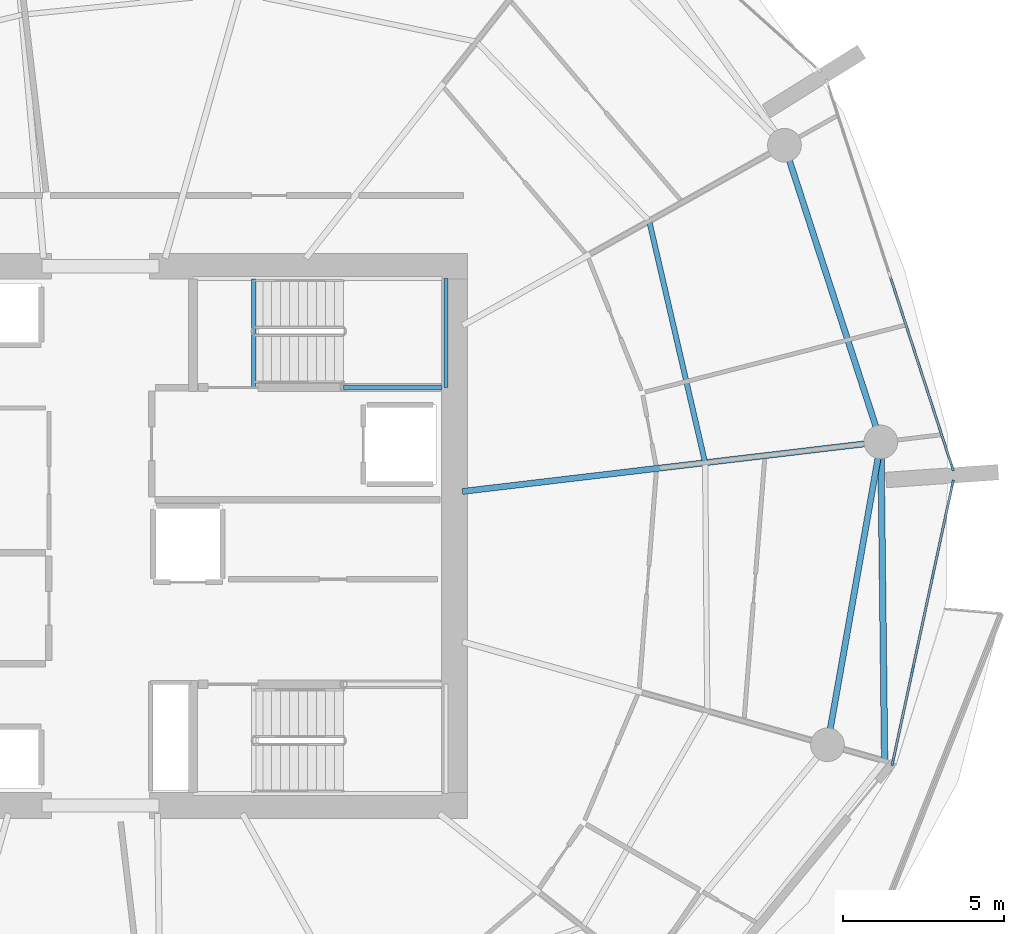
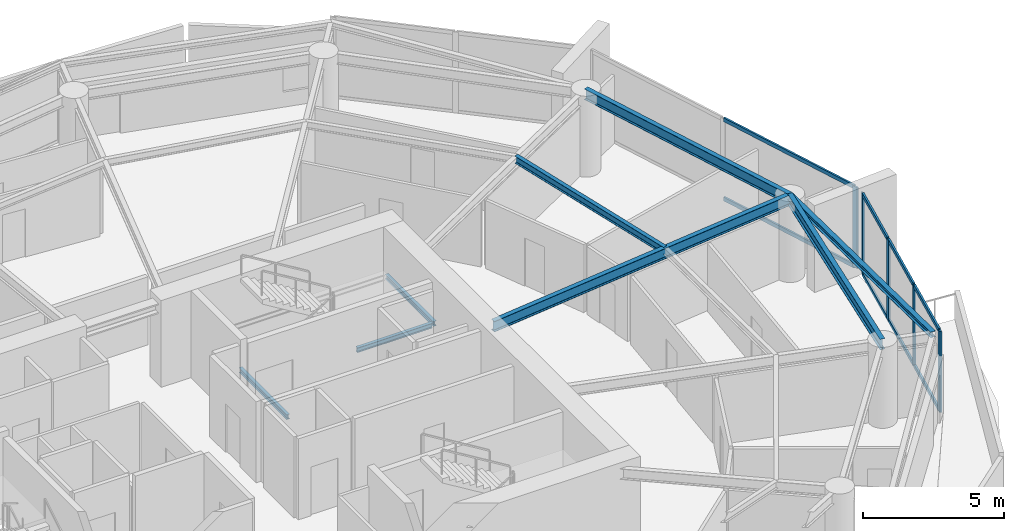
# One storey, part 7 of 20: 13 members, 8 beams, 2 elements without a shape of their own.
"""IFC4 building model written with IfcOpenShell, lengths in metres."""

from ifc_helpers import new_model, si_unit, direction, frame, origin, origin_2d, place, context, subcontext, project, spatial, rectangle, i_section, extrude, material, layer, layer_set, material_profile, profile_set, type_object, element, aggregate, save


model = new_model("IFC4")

# Units and contexts
model_context = context("Model", 3, precision=1e-05, world=origin(), true_north=direction((0.0, 1.0)))
body_context = subcontext(model_context, "Body", "Model", "MODEL_VIEW")
ifc_project = project(units=[si_unit("LENGTHUNIT", "METRE"), si_unit("AREAUNIT", "SQUARE_METRE"), si_unit("VOLUMEUNIT", "CUBIC_METRE"), si_unit("PLANEANGLEUNIT", "RADIAN"), si_unit("MASSUNIT", "GRAM", prefix="KILO")], contexts=[model_context])

# Site, building, storey
site_placement = place(None, origin())
site = spatial("IfcSite", under=ifc_project, at=site_placement, CompositionType="ELEMENT")
building_placement = place(site_placement, origin())
building = spatial("IfcBuilding", under=site, at=building_placement, Name="Kazma Halo Residences", CompositionType="ELEMENT")
storey_placement = place(building_placement, frame((0.0, 0.0, 161.550048828125)))
storey = spatial("IfcBuildingStorey", under=building, at=storey_placement, Name="L40", CompositionType="ELEMENT", Elevation=161.550048828125)

# Beams
ifc_material_1 = material(Name="Steel S355", Category="steel")
ifc_material_profile_1 = material_profile(ifc_material_1, i_section(OverallWidth=0.201904296875, OverallDepth=0.2470703125, WebThickness=0.00732421875, FlangeThickness=0.010986328125, FilletRadius=0.011962890625, at=origin_2d()), Name="W250x49.1")
ifc_profile_set_1 = profile_set([ifc_material_profile_1], Name="Steel S355")
beam_type_1 = type_object("IfcBeamType", Name="BM-BAL-CANT", PredefinedType="BEAM", material=ifc_profile_set_1)
beam_1_placement = place(storey_placement, frame((72.850341796875, 34.991455078125, 3.37646484375), z_axis=(-0.011793371143, 0.99993045578, 0.0), x_axis=(-0.99993045578, -0.011793371143, 0.0)))
element("IfcBeam", 1, at=beam_1_placement, inside=storey, type_object=beam_type_1, Name="L40 wave-balcony tie beam 15", PredefinedType="BEAM", context=body_context, shape_type="SweptSolid", body=[
    extrude(i_section(OverallWidth=0.201904296875, OverallDepth=0.2470703125, WebThickness=0.00732421875, FlangeThickness=0.010986328125, FilletRadius=0.011962890625, at=origin_2d()), origin(), (0.0, 0.0, 1.0), 9.936767578125),
])
ifc_material_profile_2 = material_profile(ifc_material_1, i_section(OverallWidth=0.18994140625, OverallDepth=0.45703125, WebThickness=0.009033203125, FlangeThickness=0.014404296875, FilletRadius=0.01611328125, at=origin_2d()), Name="W460x74")
ifc_profile_set_2 = profile_set([ifc_material_profile_2], Name="Steel S355")
beam_type_2 = type_object("IfcBeamType", Name="BM-RAD-W460", PredefinedType="BEAM", material=ifc_profile_set_2)
beam_2_placement = place(storey_placement, frame((59.699951171875, 43.384765625, 3.271484375), z_axis=(0.993067181848, 0.117548170278, 0.0), x_axis=(-0.117548170278, 0.993067181848, 0.0)))
element("IfcBeam", 2, at=beam_2_placement, inside=storey, type_object=beam_type_2, Name="L40 radial floor beam 16", PredefinedType="BEAM", context=body_context, shape_type="SweptSolid", body=[
    extrude(i_section(OverallWidth=0.18994140625, OverallDepth=0.45703125, WebThickness=0.009033203125, FlangeThickness=0.014404296875, FilletRadius=0.01611328125, at=origin_2d()), origin(), (0.0, 0.0, 1.0), 13.124267578125),
])
ifc_material_profile_3 = material_profile(ifc_material_1, i_section(OverallWidth=0.1650390625, OverallDepth=0.31005859375, WebThickness=0.005859375, FlangeThickness=0.009765625, FilletRadius=0.011962890625, at=origin_2d()), Name="W310x38.7")
ifc_profile_set_3 = profile_set([ifc_material_profile_3], Name="Steel S355")
beam_type_3 = type_object("IfcBeamType", Name="BM-SEC-W310B", PredefinedType="JOIST", material=ifc_profile_set_3)
beam_3_placement = place(storey_placement, frame((67.25927734375, 44.279541015625, 3.344970703125), z_axis=(-0.225330067077, 0.97428248515, 0.0), x_axis=(-0.97428248515, -0.225330067077, 0.0)))
element("IfcBeam", 3, at=beam_3_placement, inside=storey, type_object=beam_type_3, Name="L40 circumferential floor joist 16", PredefinedType="JOIST", context=body_context, shape_type="SweptSolid", body=[
    extrude(i_section(OverallWidth=0.1650390625, OverallDepth=0.31005859375, WebThickness=0.005859375, FlangeThickness=0.009765625, FilletRadius=0.011962890625, at=origin_2d()), origin(), (0.0, 0.0, 1.0), 7.7294921875),
])
ifc_material_profile_4 = material_profile(ifc_material_1, i_section(OverallWidth=0.18994140625, OverallDepth=0.45703125, WebThickness=0.009033203125, FlangeThickness=0.014404296875, FilletRadius=0.01611328125, at=origin_2d()), Name="W460x74")
ifc_profile_set_4 = profile_set([ifc_material_profile_4], Name="Steel S355")
beam_type_4 = type_object("IfcBeamType", Name="BM-SPN-W460", PredefinedType="BEAM", material=ifc_profile_set_4)
beam_4_placement = place(storey_placement, frame((71.06982421875, 35.49365234375, 3.271484375), z_axis=(0.173637033425, 0.984809717978, 0.0), x_axis=(-0.984809717978, 0.173637033425, 0.0)))
element("IfcBeam", 4, at=beam_4_placement, inside=storey, type_object=beam_type_4, Name="L40 perimeter ring beam 15", PredefinedType="BEAM", context=body_context, shape_type="SweptSolid", body=[
    extrude(i_section(OverallWidth=0.18994140625, OverallDepth=0.45703125, WebThickness=0.009033203125, FlangeThickness=0.014404296875, FilletRadius=0.01611328125, at=origin_2d()), origin(), (0.0, 0.0, 1.0), 9.579345703125),
])
beam_5_placement = place(storey_placement, frame((72.733154296875, 44.927490234375, 3.271484375), z_axis=(-0.309020741629, 0.95105529873, 0.0), x_axis=(-0.95105529873, -0.309020741629, 0.0)))
element("IfcBeam", 5, at=beam_5_placement, inside=storey, type_object=beam_type_4, Name="L40 perimeter ring beam 16", PredefinedType="BEAM", context=body_context, shape_type="SweptSolid", body=[
    extrude(i_section(OverallWidth=0.18994140625, OverallDepth=0.45703125, WebThickness=0.009033203125, FlangeThickness=0.014404296875, FilletRadius=0.01611328125, at=origin_2d()), origin(), (0.0, 0.0, 1.0), 9.717529296875),
])
ifc_material_profile_5 = material_profile(ifc_material_1, i_section(OverallWidth=0.133056640625, OverallDepth=0.20703125, WebThickness=0.005859375, FlangeThickness=0.00830078125, FilletRadius=0.010009765625, at=origin_2d()), Name="W200x26.6")
ifc_profile_set_5 = profile_set([ifc_material_profile_5], Name="Steel S355")
beam_type_5 = type_object("IfcBeamType", Name="BM-TRIM-W200", PredefinedType="BEAM", material=ifc_profile_set_5)
beam_6_placement = place(storey_placement, frame((53.199951171875, 46.6201171875, -0.360107421875), z_axis=(0.0, 1.0, 0.0), x_axis=(-1.0, 0.0, 0.0)))
element("IfcBeam", 6, at=beam_6_placement, inside=storey, type_object=beam_type_5, Name="L40 ST-02 floor landing support beam", PredefinedType="BEAM", context=body_context, shape_type="SweptSolid", body=[
    extrude(i_section(OverallWidth=0.133056640625, OverallDepth=0.20703125, WebThickness=0.005859375, FlangeThickness=0.00830078125, FilletRadius=0.010009765625, at=origin_2d()), origin(), (0.0, 0.0, 1.0), 3.3798828125),
])
beam_7_placement = place(storey_placement, frame((56.0, 46.6201171875, 1.570068359375), z_axis=(1.0, 0.0, 0.0), x_axis=(0.0, 1.0, 0.0)))
element("IfcBeam", 7, at=beam_7_placement, inside=storey, type_object=beam_type_5, Name="L40 ST-02 landing south wall ledger", PredefinedType="BEAM", context=body_context, shape_type="SweptSolid", body=[
    extrude(i_section(OverallWidth=0.133056640625, OverallDepth=0.20703125, WebThickness=0.005859375, FlangeThickness=0.00830078125, FilletRadius=0.010009765625, at=origin_2d()), origin(), (0.0, 0.0, 1.0), 3.070068359375),
])
beam_8_placement = place(storey_placement, frame((59.18994140625, 46.6201171875, 1.570068359375), z_axis=(0.0, 1.0, 0.0), x_axis=(-1.0, 0.0, 0.0)))
element("IfcBeam", 8, at=beam_8_placement, inside=storey, type_object=beam_type_5, Name="L40 ST-02 landing end wall ledger", PredefinedType="BEAM", context=body_context, shape_type="SweptSolid", body=[
    extrude(i_section(OverallWidth=0.133056640625, OverallDepth=0.20703125, WebThickness=0.005859375, FlangeThickness=0.00830078125, FilletRadius=0.010009765625, at=origin_2d()), origin(), (0.0, 0.0, 1.0), 3.39990234375),
])

# Curtain wall, members
ifc_material_2 = material(Name="Aluminium AW-6063 T6 and Triple-Silver Low-E Glass", Category="aluminium")
ifc_layer = layer(ifc_material_2, 0.219970703125)
ifc_layer_set = layer_set([ifc_layer], Name="Aluminium AW-6063 T6 and Triple-Silver Low-E Glass")
curtain_wall_type = type_object("IfcCurtainWallType", Name="CW-SYS-4", PredefinedType="NOTDEFINED", material=ifc_layer_set)
curtain_wall_1_placement = place(storey_placement, origin())
curtain_wall_1 = element("IfcCurtainWall", 9, at=curtain_wall_1_placement, inside=storey, type_object=curtain_wall_type, Name="L40 unitised curtain wall B15", PredefinedType="NOTDEFINED")
ifc_material_3 = material(Name="Aluminium AW-6063 T6", Category="aluminium")
ifc_material_profile_6 = material_profile(ifc_material_3, rectangle(XDim=0.074951171875, YDim=0.219970703125, at=origin_2d()), Name="CWM-75x220")
ifc_profile_set_6 = profile_set([ifc_material_profile_6], Name="Aluminium AW-6063 T6")
member_type_1 = type_object("IfcMemberType", Name="CW-SYS-4-MUL", PredefinedType="MULLION", material=ifc_profile_set_6)
member_1_placement = place(storey_placement, frame((73.105224609375, 34.95849609375, 0.0), z_axis=(0.0, 0.0, 1.0), x_axis=(-0.977764957684, 0.209703809037, 0.0)))
member_1 = element("IfcMember", 10, at=member_1_placement, type_object=member_type_1, Name="CWS-4 mullion 1", PredefinedType="MULLION", context=body_context, shape_type="SweptSolid", body=[
    extrude(rectangle(XDim=0.074951171875, YDim=0.219970703125, at=origin_2d()), origin(), (0.0, 0.0, 1.0), 3.5),
])
member_2_placement = place(storey_placement, frame((73.72314453125, 37.839111328125, 0.0), z_axis=(0.0, 0.0, 1.0), x_axis=(-0.977764957684, 0.209703809037, 0.0)))
member_2 = element("IfcMember", 11, at=member_2_placement, type_object=member_type_1, Name="CWS-4 mullion 2", PredefinedType="MULLION", context=body_context, shape_type="SweptSolid", body=[
    extrude(rectangle(XDim=0.074951171875, YDim=0.219970703125, at=origin_2d()), origin(), (0.0, 0.0, 1.0), 3.5),
])
member_3_placement = place(storey_placement, frame((74.3486328125, 40.75634765625, 0.0), z_axis=(0.0, 0.0, 1.0), x_axis=(-0.977764957684, 0.209703809037, 0.0)))
member_3 = element("IfcMember", 12, at=member_3_placement, type_object=member_type_1, Name="CWS-4 mullion 3", PredefinedType="MULLION", context=body_context, shape_type="SweptSolid", body=[
    extrude(rectangle(XDim=0.074951171875, YDim=0.219970703125, at=origin_2d()), origin(), (0.0, 0.0, 1.0), 3.5),
])
member_4_placement = place(storey_placement, frame((74.966552734375, 43.63671875, 0.0), z_axis=(0.0, 0.0, 1.0), x_axis=(-0.977764957684, 0.209703809037, 0.0)))
member_4 = element("IfcMember", 13, at=member_4_placement, type_object=member_type_1, Name="CWS-4 mullion 4", PredefinedType="MULLION", context=body_context, shape_type="SweptSolid", body=[
    extrude(rectangle(XDim=0.074951171875, YDim=0.219970703125, at=origin_2d()), origin(), (0.0, 0.0, 1.0), 3.5),
])

# Curtain wall, member
curtain_wall_2_placement = place(storey_placement, origin())
curtain_wall_2 = element("IfcCurtainWall", 14, at=curtain_wall_2_placement, inside=storey, type_object=curtain_wall_type, Name="L40 unitised curtain wall B16", PredefinedType="NOTDEFINED")
member_5_placement = place(storey_placement, frame((74.955810546875, 44.13427734375, 0.0), z_axis=(0.0, 0.0, 1.0), x_axis=(-0.951057547609, -0.3090138203, 0.0)))
member_5 = element("IfcMember", 15, at=member_5_placement, type_object=member_type_1, Name="CWS-4 mullion 1", PredefinedType="MULLION", context=body_context, shape_type="SweptSolid", body=[
    extrude(rectangle(XDim=0.074951171875, YDim=0.219970703125, at=origin_2d()), origin(), (0.0, 0.0, 1.0), 3.5),
])

# Member
ifc_material_profile_7 = material_profile(ifc_material_3, rectangle(XDim=0.074951171875, YDim=0.1650390625, at=origin_2d()), Name="CWT-75x165")
ifc_profile_set_7 = profile_set([ifc_material_profile_7], Name="Aluminium AW-6063 T6")
member_type_2 = type_object("IfcMemberType", Name="CW-SYS-4-TRN", PredefinedType="USERDEFINED", material=ifc_profile_set_7)
member_6_placement = place(storey_placement, frame((73.113037109375, 34.9951171875, 0.037353515625), z_axis=(0.209703309269, 0.977765064871, 0.0), x_axis=(-0.977765064871, 0.209703309269, 0.0)))
member_6 = element("IfcMember", 16, at=member_6_placement, type_object=member_type_2, Name="CWS-4 transom 1.1", ObjectType="TRANSOM", PredefinedType="USERDEFINED", context=body_context, shape_type="SweptSolid", body=[
    extrude(rectangle(XDim=0.074951171875, YDim=0.1650390625, at=origin_2d()), origin(), (0.0, 0.0, 1.0), 2.870849609375),
])

member_7_placement = place(storey_placement, frame((73.113037109375, 34.9951171875, 3.46240234375), z_axis=(0.209703309269, 0.977765064871, 0.0), x_axis=(-0.977765064871, 0.209703309269, 0.0)))
member_7 = element("IfcMember", 17, at=member_7_placement, type_object=member_type_2, Name="CWS-4 transom 1.2", ObjectType="TRANSOM", PredefinedType="USERDEFINED", context=body_context, shape_type="SweptSolid", body=[
    extrude(rectangle(XDim=0.074951171875, YDim=0.1650390625, at=origin_2d()), origin(), (0.0, 0.0, 1.0), 2.870849609375),
])

member_8_placement = place(storey_placement, frame((73.73095703125, 37.875732421875, 0.037353515625), z_axis=(0.209689601293, 0.977768004748, 0.0), x_axis=(-0.977768004748, 0.209689601293, 0.0)))
member_8 = element("IfcMember", 18, at=member_8_placement, type_object=member_type_2, Name="CWS-4 transom 2.1", ObjectType="TRANSOM", PredefinedType="USERDEFINED", context=body_context, shape_type="SweptSolid", body=[
    extrude(rectangle(XDim=0.074951171875, YDim=0.1650390625, at=origin_2d()), origin(), (0.0, 0.0, 1.0), 2.908447265625),
])

member_9_placement = place(storey_placement, frame((73.73095703125, 37.875732421875, 3.46240234375), z_axis=(0.209689601293, 0.977768004748, 0.0), x_axis=(-0.977768004748, 0.209689601293, 0.0)))
member_9 = element("IfcMember", 19, at=member_9_placement, type_object=member_type_2, Name="CWS-4 transom 2.2", ObjectType="TRANSOM", PredefinedType="USERDEFINED", context=body_context, shape_type="SweptSolid", body=[
    extrude(rectangle(XDim=0.074951171875, YDim=0.1650390625, at=origin_2d()), origin(), (0.0, 0.0, 1.0), 2.908447265625),
])

member_10_placement = place(storey_placement, frame((74.356689453125, 40.79296875, 0.037353515625), z_axis=(0.209703309269, 0.977765064871, 0.0), x_axis=(-0.977765064871, 0.209703309269, 0.0)))
member_10 = element("IfcMember", 20, at=member_10_placement, type_object=member_type_2, Name="CWS-4 transom 3.1", ObjectType="TRANSOM", PredefinedType="USERDEFINED", context=body_context, shape_type="SweptSolid", body=[
    extrude(rectangle(XDim=0.074951171875, YDim=0.1650390625, at=origin_2d()), origin(), (0.0, 0.0, 1.0), 2.870849609375),
])

member_11_placement = place(storey_placement, frame((74.356689453125, 40.79296875, 3.46240234375), z_axis=(0.209703309269, 0.977765064871, 0.0), x_axis=(-0.977765064871, 0.209703309269, 0.0)))
member_11 = element("IfcMember", 21, at=member_11_placement, type_object=member_type_2, Name="CWS-4 transom 3.2", ObjectType="TRANSOM", PredefinedType="USERDEFINED", context=body_context, shape_type="SweptSolid", body=[
    extrude(rectangle(XDim=0.074951171875, YDim=0.1650390625, at=origin_2d()), origin(), (0.0, 0.0, 1.0), 2.870849609375),
])

aggregate(curtain_wall_1, [member_1, member_2, member_3, member_4, member_6, member_7, member_8, member_9, member_10, member_11])

member_12_placement = place(storey_placement, frame((74.9443359375, 44.169921875, 0.037353515625), z_axis=(-0.309006258762, 0.95106000444, 0.0), x_axis=(-0.95106000444, -0.309006258762, 0.0)))
member_12 = element("IfcMember", 22, at=member_12_placement, type_object=member_type_2, Name="CWS-4 transom 1.1", ObjectType="TRANSOM", PredefinedType="USERDEFINED", context=body_context, shape_type="SweptSolid", body=[
    extrude(rectangle(XDim=0.074951171875, YDim=0.1650390625, at=origin_2d()), origin(), (0.0, 0.0, 1.0), 6.22509765625),
])

member_13_placement = place(storey_placement, frame((74.9443359375, 44.169921875, 3.46240234375), z_axis=(-0.309006258762, 0.95106000444, 0.0), x_axis=(-0.95106000444, -0.309006258762, 0.0)))
member_13 = element("IfcMember", 23, at=member_13_placement, type_object=member_type_2, Name="CWS-4 transom 1.2", ObjectType="TRANSOM", PredefinedType="USERDEFINED", context=body_context, shape_type="SweptSolid", body=[
    extrude(rectangle(XDim=0.074951171875, YDim=0.1650390625, at=origin_2d()), origin(), (0.0, 0.0, 1.0), 6.22509765625),
])

aggregate(curtain_wall_2, [member_5, member_12, member_13])

save(model, "model.ifc")
